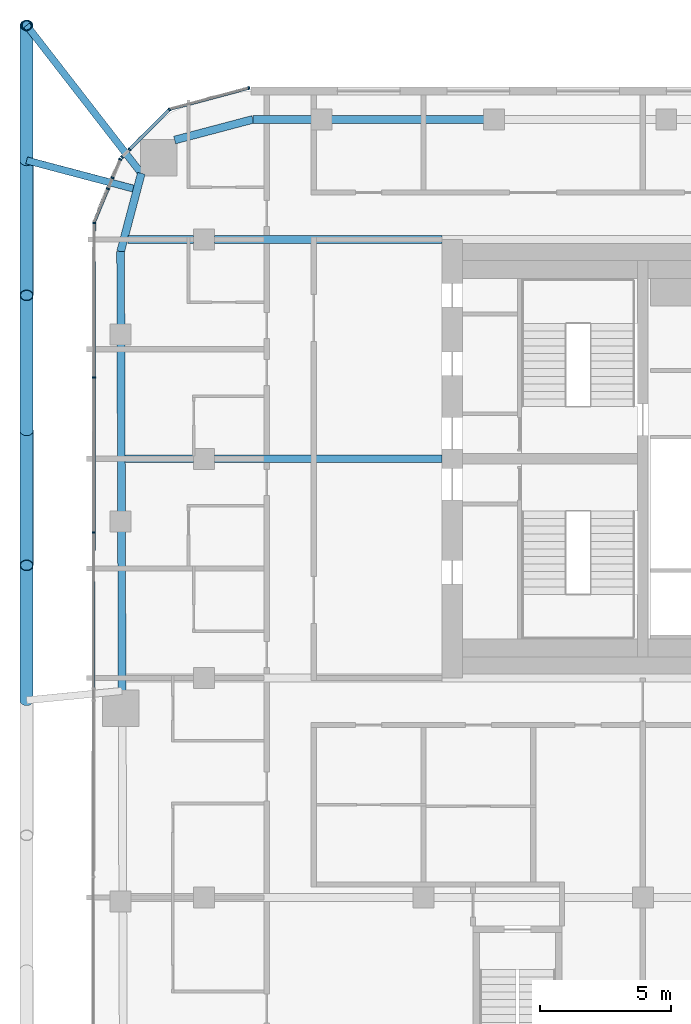
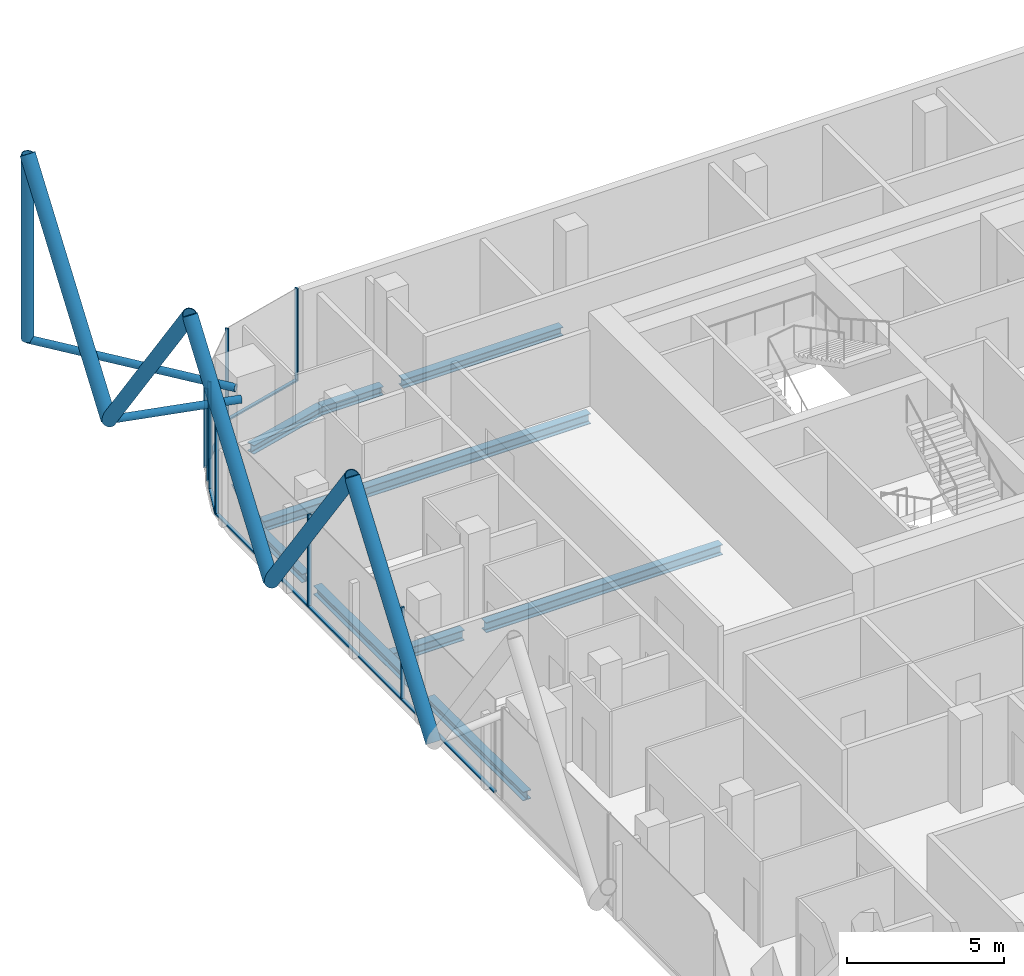
# One storey, part 8 of 31: 24 members, 11 beams, 7 elements without a shape of their own.
"""IFC4 building model written with IfcOpenShell, lengths in metres."""

from ifc_helpers import new_model, si_unit, direction, frame, origin, origin_2d, place, context, subcontext, project, spatial, rectangle, hollow_circle, i_section, extrude, material, layer, layer_set, material_profile, profile_set, type_object, element, aggregate, save


model = new_model("IFC4")

# Units and contexts
model_context = context("Model", 3, precision=1e-05, world=origin(), true_north=direction((0.0, 1.0)))
body_context = subcontext(model_context, "Body", "Model", "MODEL_VIEW")
ifc_project = project(units=[si_unit("LENGTHUNIT", "METRE"), si_unit("AREAUNIT", "SQUARE_METRE"), si_unit("VOLUMEUNIT", "CUBIC_METRE"), si_unit("PLANEANGLEUNIT", "RADIAN"), si_unit("MASSUNIT", "GRAM", prefix="KILO")], contexts=[model_context])

# Site, building, storey
site_placement = place(None, origin())
site = spatial("IfcSite", under=ifc_project, at=site_placement, CompositionType="ELEMENT")
building_placement = place(site_placement, origin())
building = spatial("IfcBuilding", under=site, at=building_placement, Name="Marenta Gate Hotel Tower", CompositionType="ELEMENT")
storey_placement = place(building_placement, frame((0.0, 0.0, 234.5)))
storey = spatial("IfcBuildingStorey", under=building, at=storey_placement, Name="L55", CompositionType="ELEMENT", Elevation=234.5)

# Members
ifc_material_1 = material(Name="Steel S355J2W", Category="steel")
ifc_material_profile_1 = material_profile(ifc_material_1, hollow_circle(Radius=0.203125, WallThickness=0.02490234375, at=origin_2d()), Name="CHS 406.4x25")
ifc_profile_set_1 = profile_set([ifc_material_profile_1], Name="Steel S355J2W")
member_type_1 = type_object("IfcMemberType", Name="Diagrid corner post Z3 CHS 406.4x25", PredefinedType="POST", material=ifc_profile_set_1)
member_1_placement = place(storey_placement, frame((-27.800048828125, 25.0, 3.139892578125), z_axis=(0.0, 0.0, 1.0), x_axis=(1.0, 0.0, 0.0)))
element("IfcMember", 1, at=member_1_placement, inside=storey, type_object=member_type_1, Name="L55-DR-6", PredefinedType="POST", context=body_context, shape_type="SweptSolid", body=[
    extrude(hollow_circle(Radius=0.203125, WallThickness=0.02490234375, at=origin_2d()), origin(), (0.0, 0.0, 1.0), 7.2001953125),
])
ifc_material_2 = material(Name="Steel S355J2W", Category="steel")
ifc_material_profile_2 = material_profile(ifc_material_2, hollow_circle(Radius=0.25390625, WallThickness=0.02490234375, at=origin_2d()), Name="CHS 508x25")
ifc_profile_set_2 = profile_set([ifc_material_profile_2], Name="Steel S355J2W")
member_type_2 = type_object("IfcMemberType", Name="Diagrid diagonal Z3 CHS 508x25", PredefinedType="BRACE", material=ifc_profile_set_2)
member_2_placement = place(storey_placement, frame((-27.800048828125, -0.85009765625, 3.139892578125), z_axis=(0.0, 0.583247791947, 0.812294289767), x_axis=(-1.0, 0.0, 0.0)))
element("IfcMember", 2, at=member_2_placement, inside=storey, type_object=member_type_2, Name="L55-DG-30", PredefinedType="BRACE", context=body_context, shape_type="SweptSolid", body=[
    extrude(hollow_circle(Radius=0.25390625, WallThickness=0.02490234375, at=origin_2d()), origin(), (0.0, 0.0, 1.0), 8.864013671875),
])
member_3_placement = place(storey_placement, frame((-27.800048828125, 9.489990234375, 3.139892578125), z_axis=(0.0, -0.583265964901, 0.81228124082), x_axis=(1.0, 0.0, 0.0)))
element("IfcMember", 3, at=member_3_placement, inside=storey, type_object=member_type_2, Name="L55-DG-31", PredefinedType="BRACE", context=body_context, shape_type="SweptSolid", body=[
    extrude(hollow_circle(Radius=0.25390625, WallThickness=0.02490234375, at=origin_2d()), origin(), (0.0, 0.0, 1.0), 8.8642578125),
])
member_4_placement = place(storey_placement, frame((-27.800048828125, 9.489990234375, 3.139892578125), z_axis=(0.0, 0.583247791947, 0.812294289767), x_axis=(-1.0, 0.0, 0.0)))
element("IfcMember", 4, at=member_4_placement, inside=storey, type_object=member_type_2, Name="L55-DG-32", PredefinedType="BRACE", context=body_context, shape_type="SweptSolid", body=[
    extrude(hollow_circle(Radius=0.25390625, WallThickness=0.02490234375, at=origin_2d()), origin(), (0.0, 0.0, 1.0), 8.864013671875),
])
member_5_placement = place(storey_placement, frame((-27.800048828125, 19.830078125, 3.139892578125), z_axis=(0.0, -0.583265964901, 0.81228124082), x_axis=(1.0, 0.0, 0.0)))
element("IfcMember", 5, at=member_5_placement, inside=storey, type_object=member_type_2, Name="L55-DG-33", PredefinedType="BRACE", context=body_context, shape_type="SweptSolid", body=[
    extrude(hollow_circle(Radius=0.25390625, WallThickness=0.02490234375, at=origin_2d()), origin(), (0.0, 0.0, 1.0), 8.8642578125),
])
member_6_placement = place(storey_placement, frame((-27.800048828125, 19.830078125, 3.139892578125), z_axis=(0.0, 0.583247791947, 0.812294289767), x_axis=(-1.0, 0.0, 0.0)))
element("IfcMember", 6, at=member_6_placement, inside=storey, type_object=member_type_2, Name="L55-DG-34", PredefinedType="BRACE", context=body_context, shape_type="SweptSolid", body=[
    extrude(hollow_circle(Radius=0.25390625, WallThickness=0.02490234375, at=origin_2d()), origin(), (0.0, 0.0, 1.0), 8.864013671875),
])

# Beams
ifc_material_3 = material(Name="Steel S355", Category="steel")
ifc_material_profile_3 = material_profile(ifc_material_3, i_section(OverallWidth=0.300048828125, OverallDepth=0.340087890625, WebThickness=0.011962890625, FlangeThickness=0.021484375, FilletRadius=0.027099609375, at=origin_2d()), Name="HEB 340")
ifc_profile_set_3 = profile_set([ifc_material_profile_3], Name="Steel S355")
beam_type_1 = type_object("IfcBeamType", Name="Edge beam HEB 340", PredefinedType="SPANDREL", material=ifc_profile_set_3)
beam_1_placement = place(storey_placement, frame((-24.14404296875, -0.489990234375, -0.429931640625), z_axis=(-0.003303859048, 0.999994542243, 0.0), x_axis=(-0.999994542243, -0.003303859048, 0.0)))
element("IfcBeam", 7, at=beam_1_placement, inside=storey, type_object=beam_type_1, Name="L55-EB-8", PredefinedType="SPANDREL", context=body_context, shape_type="SweptSolid", body=[
    extrude(i_section(OverallWidth=0.300048828125, OverallDepth=0.340087890625, WebThickness=0.011962890625, FlangeThickness=0.021484375, FilletRadius=0.027099609375, at=origin_2d()), origin(), (0.0, 0.0, 1.0), 6.13330078125),
])
beam_2_placement = place(storey_placement, frame((-24.166748046875, 6.36328125, -0.429931640625), z_axis=(-0.00333963982, 0.999994423387, 0.0), x_axis=(-0.999994423387, -0.00333963982, 0.0)))
element("IfcBeam", 8, at=beam_2_placement, inside=storey, type_object=beam_type_1, Name="L55-EB-9", PredefinedType="SPANDREL", context=body_context, shape_type="SweptSolid", body=[
    extrude(i_section(OverallWidth=0.300048828125, OverallDepth=0.340087890625, WebThickness=0.011962890625, FlangeThickness=0.021484375, FilletRadius=0.027099609375, at=origin_2d()), origin(), (0.0, 0.0, 1.0), 6.43310546875),
])
beam_3_placement = place(storey_placement, frame((-24.190673828125, 13.516357421875, -0.429931640625), z_axis=(-0.003292020626, 0.999994581285, 0.0), x_axis=(-0.999994581285, -0.003292020626, 0.0)))
element("IfcBeam", 9, at=beam_3_placement, inside=storey, type_object=beam_type_1, Name="L55-EB-10", PredefinedType="SPANDREL", context=body_context, shape_type="SweptSolid", body=[
    extrude(i_section(OverallWidth=0.300048828125, OverallDepth=0.340087890625, WebThickness=0.011962890625, FlangeThickness=0.021484375, FilletRadius=0.027099609375, at=origin_2d()), origin(), (0.0, 0.0, 1.0), 2.818115234375),
])
beam_4_placement = place(storey_placement, frame((-24.199951171875, 16.33447265625, -0.429931640625), z_axis=(0.255648013319, 0.966769927794, 0.0), x_axis=(-0.966769927794, 0.255648013319, 0.0)))
element("IfcBeam", 10, at=beam_4_placement, inside=storey, type_object=beam_type_1, Name="L55-EB-11", PredefinedType="SPANDREL", context=body_context, shape_type="SweptSolid", body=[
    extrude(i_section(OverallWidth=0.300048828125, OverallDepth=0.340087890625, WebThickness=0.011962890625, FlangeThickness=0.021484375, FilletRadius=0.027099609375, at=origin_2d()), origin(), (0.0, 0.0, 1.0), 3.100830078125),
])
beam_5_placement = place(storey_placement, frame((-22.132080078125, 20.607177734375, -0.429931640625), z_axis=(0.9667647815, 0.25566747398, 0.0), x_axis=(-0.25566747398, 0.9667647815, 0.0)))
element("IfcBeam", 11, at=beam_5_placement, inside=storey, type_object=beam_type_1, Name="L55-EB-12", PredefinedType="SPANDREL", context=body_context, shape_type="SweptSolid", body=[
    extrude(i_section(OverallWidth=0.300048828125, OverallDepth=0.340087890625, WebThickness=0.011962890625, FlangeThickness=0.021484375, FilletRadius=0.027099609375, at=origin_2d()), origin(), (0.0, 0.0, 1.0), 3.1005859375),
])
beam_6_placement = place(storey_placement, frame((-19.134521484375, 21.39990234375, -0.429931640625), z_axis=(1.0, 0.0, 0.0), x_axis=(0.0, 1.0, 0.0)))
element("IfcBeam", 12, at=beam_6_placement, inside=storey, type_object=beam_type_1, Name="L55-EB-13", PredefinedType="SPANDREL", context=body_context, shape_type="SweptSolid", body=[
    extrude(i_section(OverallWidth=0.300048828125, OverallDepth=0.340087890625, WebThickness=0.011962890625, FlangeThickness=0.021484375, FilletRadius=0.027099609375, at=origin_2d()), origin(), (0.0, 0.0, 1.0), 2.267578125),
])
beam_7_placement = place(storey_placement, frame((-16.14697265625, 21.39990234375, -0.429931640625), z_axis=(1.0, 0.0, 0.0), x_axis=(0.0, 1.0, 0.0)))
element("IfcBeam", 13, at=beam_7_placement, inside=storey, type_object=beam_type_1, Name="L55-EB-14", PredefinedType="SPANDREL", context=body_context, shape_type="SweptSolid", body=[
    extrude(i_section(OverallWidth=0.300048828125, OverallDepth=0.340087890625, WebThickness=0.011962890625, FlangeThickness=0.021484375, FilletRadius=0.027099609375, at=origin_2d()), origin(), (0.0, 0.0, 1.0), 5.8828125),
])

# Members
ifc_material_4 = material(Name="Steel S355J2W", Category="steel")
ifc_material_profile_4 = material_profile(ifc_material_4, hollow_circle(Radius=0.136474609375, WallThickness=0.012451171875, at=origin_2d()), Name="CHS 273x12.5")
ifc_profile_set_4 = profile_set([ifc_material_profile_4], Name="Steel S355J2W")
member_type_3 = type_object("IfcMemberType", Name="Floor tie CHS 273x12.5", PredefinedType="STRUT", material=ifc_profile_set_4)
member_7_placement = place(storey_placement, frame((-27.800048828125, 19.830078125, 3.139892578125), z_axis=(0.966769042409, -0.255651361506, 0.0), x_axis=(0.255651361506, 0.966769042409, 0.0)))
element("IfcMember", 14, at=member_7_placement, inside=storey, type_object=member_type_3, Name="L55-DR-21", PredefinedType="STRUT", context=body_context, shape_type="SweptSolid", body=[
    extrude(hollow_circle(Radius=0.136474609375, WallThickness=0.012451171875, at=origin_2d()), origin(), (0.0, 0.0, 1.0), 4.3681640625),
])
member_8_placement = place(storey_placement, frame((-27.800048828125, 25.0, 3.139892578125), z_axis=(0.61259242592, -0.790398962363, 0.0), x_axis=(0.790398962363, 0.61259242592, 0.0)))
element("IfcMember", 15, at=member_8_placement, inside=storey, type_object=member_type_3, Name="L55-DR-22", PredefinedType="STRUT", context=body_context, shape_type="SweptSolid", body=[
    extrude(hollow_circle(Radius=0.136474609375, WallThickness=0.012451171875, at=origin_2d()), origin(), (0.0, 0.0, 1.0), 7.163330078125),
])

# Beams
ifc_material_5 = material(Name="Steel S355", Category="steel")
ifc_material_profile_5 = material_profile(ifc_material_5, i_section(OverallWidth=0.300048828125, OverallDepth=0.39990234375, WebThickness=0.013427734375, FlangeThickness=0.02392578125, FilletRadius=0.027099609375, at=origin_2d()), Name="HEB 400")
ifc_profile_set_5 = profile_set([ifc_material_profile_5], Name="Steel S355")
beam_type_2 = type_object("IfcBeamType", Name="Girder HEB 400", PredefinedType="BEAM", material=ifc_profile_set_5)
beam_8_placement = place(storey_placement, frame((-24.023681640625, 8.39990234375, -0.4599609375), z_axis=(1.0, 0.0, 0.0), x_axis=(0.0, 1.0, 0.0)))
element("IfcBeam", 16, at=beam_8_placement, inside=storey, type_object=beam_type_2, Name="L55-GD-25", PredefinedType="BEAM", context=body_context, shape_type="SweptSolid", body=[
    extrude(i_section(OverallWidth=0.300048828125, OverallDepth=0.39990234375, WebThickness=0.013427734375, FlangeThickness=0.02392578125, FilletRadius=0.027099609375, at=origin_2d()), origin(), (0.0, 0.0, 1.0), 2.623779296875),
])
beam_9_placement = place(storey_placement, frame((-20.60009765625, 8.39990234375, -0.4599609375), z_axis=(1.0, 0.0, 0.0), x_axis=(0.0, 1.0, 0.0)))
element("IfcBeam", 17, at=beam_9_placement, inside=storey, type_object=beam_type_2, Name="L55-GD-26", PredefinedType="BEAM", context=body_context, shape_type="SweptSolid", body=[
    extrude(i_section(OverallWidth=0.300048828125, OverallDepth=0.39990234375, WebThickness=0.013427734375, FlangeThickness=0.02392578125, FilletRadius=0.027099609375, at=origin_2d()), origin(), (0.0, 0.0, 1.0), 8.7001953125),
])
beam_10_placement = place(storey_placement, frame((-23.921630859375, 16.800048828125, -0.4599609375), z_axis=(1.0, 0.0, 0.0), x_axis=(0.0, 1.0, 0.0)))
element("IfcBeam", 18, at=beam_10_placement, inside=storey, type_object=beam_type_2, Name="L55-GD-29", PredefinedType="BEAM", context=body_context, shape_type="SweptSolid", body=[
    extrude(i_section(OverallWidth=0.300048828125, OverallDepth=0.39990234375, WebThickness=0.013427734375, FlangeThickness=0.02392578125, FilletRadius=0.027099609375, at=origin_2d()), origin(), (0.0, 0.0, 1.0), 2.521728515625),
])
beam_11_placement = place(storey_placement, frame((-20.60009765625, 16.800048828125, -0.4599609375), z_axis=(1.0, 0.0, 0.0), x_axis=(0.0, 1.0, 0.0)))
element("IfcBeam", 19, at=beam_11_placement, inside=storey, type_object=beam_type_2, Name="L55-GD-30", PredefinedType="BEAM", context=body_context, shape_type="SweptSolid", body=[
    extrude(i_section(OverallWidth=0.300048828125, OverallDepth=0.39990234375, WebThickness=0.013427734375, FlangeThickness=0.02392578125, FilletRadius=0.027099609375, at=origin_2d()), origin(), (0.0, 0.0, 1.0), 8.7001953125),
])

# Curtain wall, member
ifc_material_6 = material(Name="Tinted insulated glass in bronze anodised frame", Category="glass")
ifc_layer = layer(ifc_material_6, 0.1201171875)
ifc_layer_set = layer_set([ifc_layer], Name="Tinted insulated glass in bronze anodised frame")
curtain_wall_type = type_object("IfcCurtainWallType", Name="Tower unitised curtain wall CW1", PredefinedType="NOTDEFINED", material=ifc_layer_set)
curtain_wall_1_placement = place(storey_placement, origin())
curtain_wall_1 = element("IfcCurtainWall", 20, at=curtain_wall_1_placement, inside=storey, type_object=curtain_wall_type, Name="CW1 run G00", PredefinedType="NOTDEFINED")
ifc_material_7 = material(Name="Bronze anodised aluminium", Category="aluminium")
ifc_material_profile_6 = material_profile(ifc_material_7, rectangle(XDim=0.1201171875, YDim=0.06005859375, at=origin_2d()), Name="Mullion CW1 60x120 bronze anodised aluminium")
ifc_profile_set_6 = profile_set([ifc_material_profile_6], Name="Bronze anodised aluminium")
member_type_4 = type_object("IfcMemberType", Name="Mullion CW1 60x120 bronze anodised aluminium", PredefinedType="MULLION", material=ifc_profile_set_6)
member_9_placement = place(storey_placement, frame((-19.285400390625, 22.603271484375, 0.0), z_axis=(0.0, 0.0, 1.0), x_axis=(0.258801379183, -0.965930559685, 0.0)))
member_9 = element("IfcMember", 21, at=member_9_placement, type_object=member_type_4, Name="CW1 mullion 1", PredefinedType="MULLION", context=body_context, shape_type="SweptSolid", body=[
    extrude(rectangle(XDim=0.1201171875, YDim=0.06005859375, at=origin_2d()), origin(), (0.0, 0.0, 1.0), 3.60009765625),
])

curtain_wall_2_placement = place(storey_placement, origin())
curtain_wall_2 = element("IfcCurtainWall", 22, at=curtain_wall_2_placement, inside=storey, type_object=curtain_wall_type, Name="CW1 run G01", PredefinedType="NOTDEFINED")
member_10_placement = place(storey_placement, frame((-22.334228515625, 21.77099609375, 0.0), z_axis=(0.0, 0.0, 1.0), x_axis=(0.707106781187, -0.707106781187, 0.0)))
member_10 = element("IfcMember", 23, at=member_10_placement, type_object=member_type_4, Name="CW1 mullion 1", PredefinedType="MULLION", context=body_context, shape_type="SweptSolid", body=[
    extrude(rectangle(XDim=0.1201171875, YDim=0.06005859375, at=origin_2d()), origin(), (0.0, 0.0, 1.0), 3.60009765625),
])

# Curtain wall, members
curtain_wall_3_placement = place(storey_placement, origin())
curtain_wall_3 = element("IfcCurtainWall", 24, at=curtain_wall_3_placement, inside=storey, type_object=curtain_wall_type, Name="CW1 run G02", PredefinedType="NOTDEFINED")
member_11_placement = place(storey_placement, frame((-23.86328125, 20.24169921875, 0.0), z_axis=(0.0, 0.0, 1.0), x_axis=(0.707106781187, -0.707106781187, 0.0)))
member_11 = element("IfcMember", 25, at=member_11_placement, type_object=member_type_4, Name="CW1 mullion 1", PredefinedType="MULLION", context=body_context, shape_type="SweptSolid", body=[
    extrude(rectangle(XDim=0.1201171875, YDim=0.06005859375, at=origin_2d()), origin(), (0.0, 0.0, 1.0), 3.00048828125),
])
member_12_placement = place(storey_placement, frame((-24.143798828125, 19.961181640625, 0.0), z_axis=(0.0, 0.0, 1.0), x_axis=(0.707106781187, -0.707106781187, 0.0)))
member_12 = element("IfcMember", 26, at=member_12_placement, type_object=member_type_4, Name="CW1 mullion 2", PredefinedType="MULLION", context=body_context, shape_type="SweptSolid", body=[
    extrude(rectangle(XDim=0.1201171875, YDim=0.06005859375, at=origin_2d()), origin(), (0.0, 0.0, 1.0), 3.00048828125),
])
aggregate(curtain_wall_3, [member_11, member_12])

# Curtain wall, member
curtain_wall_4_placement = place(storey_placement, origin())
curtain_wall_4 = element("IfcCurtainWall", 27, at=curtain_wall_4_placement, inside=storey, type_object=curtain_wall_type, Name="CW1 run G03", PredefinedType="NOTDEFINED")
member_13_placement = place(storey_placement, frame((-24.215087890625, 19.87353515625, 0.0), z_axis=(0.0, 0.0, 1.0), x_axis=(0.923867791185, -0.382711777204, 0.0)))
member_13 = element("IfcMember", 28, at=member_13_placement, type_object=member_type_4, Name="CW1 mullion 1", PredefinedType="MULLION", context=body_context, shape_type="SweptSolid", body=[
    extrude(rectangle(XDim=0.1201171875, YDim=0.06005859375, at=origin_2d()), origin(), (0.0, 0.0, 1.0), 3.60009765625),
])
aggregate(curtain_wall_4, [member_13])

curtain_wall_5_placement = place(storey_placement, origin())
curtain_wall_5 = element("IfcCurtainWall", 29, at=curtain_wall_5_placement, inside=storey, type_object=curtain_wall_type, Name="CW1 run G04", PredefinedType="NOTDEFINED")
member_14_placement = place(storey_placement, frame((-24.50927734375, 19.163330078125, 0.0), z_axis=(0.0, 0.0, 1.0), x_axis=(0.923896848097, -0.382641626167, 0.0)))
member_14 = element("IfcMember", 30, at=member_14_placement, type_object=member_type_4, Name="CW1 mullion 1", PredefinedType="MULLION", context=body_context, shape_type="SweptSolid", body=[
    extrude(rectangle(XDim=0.1201171875, YDim=0.06005859375, at=origin_2d()), origin(), (0.0, 0.0, 1.0), 3.00048828125),
])
aggregate(curtain_wall_5, [member_14])

curtain_wall_6_placement = place(storey_placement, origin())
curtain_wall_6 = element("IfcCurtainWall", 31, at=curtain_wall_6_placement, inside=storey, type_object=curtain_wall_type, Name="CW1 run G05", PredefinedType="NOTDEFINED")
member_15_placement = place(storey_placement, frame((-24.684326171875, 18.740966796875, 0.0), z_axis=(0.0, 0.0, 1.0), x_axis=(0.923893220226, -0.382650385627, 0.0)))
member_15 = element("IfcMember", 32, at=member_15_placement, type_object=member_type_4, Name="CW1 mullion 1", PredefinedType="MULLION", context=body_context, shape_type="SweptSolid", body=[
    extrude(rectangle(XDim=0.1201171875, YDim=0.06005859375, at=origin_2d()), origin(), (0.0, 0.0, 1.0), 3.60009765625),
])

# Curtain wall, members
curtain_wall_7_placement = place(storey_placement, origin())
curtain_wall_7 = element("IfcCurtainWall", 33, at=curtain_wall_7_placement, inside=storey, type_object=curtain_wall_type, Name="CW1 run G06", PredefinedType="NOTDEFINED")
member_16_placement = place(storey_placement, frame((-25.21240234375, 17.436279296875, 0.0), z_axis=(0.0, 0.0, 1.0), x_axis=(0.999998767857, -0.001569803969, 0.0)))
member_16 = element("IfcMember", 34, at=member_16_placement, type_object=member_type_4, Name="CW1 mullion 1", PredefinedType="MULLION", context=body_context, shape_type="SweptSolid", body=[
    extrude(rectangle(XDim=0.1201171875, YDim=0.06005859375, at=origin_2d()), origin(), (0.0, 0.0, 1.0), 3.60009765625),
])
member_17_placement = place(storey_placement, frame((-25.2216796875, 11.520751953125, 0.0), z_axis=(0.0, 0.0, 1.0), x_axis=(0.999998767857, -0.001569803969, 0.0)))
member_17 = element("IfcMember", 35, at=member_17_placement, type_object=member_type_4, Name="CW1 mullion 2", PredefinedType="MULLION", context=body_context, shape_type="SweptSolid", body=[
    extrude(rectangle(XDim=0.1201171875, YDim=0.06005859375, at=origin_2d()), origin(), (0.0, 0.0, 1.0), 3.60009765625),
])
member_18_placement = place(storey_placement, frame((-25.23095703125, 5.5751953125, 0.0), z_axis=(0.0, 0.0, 1.0), x_axis=(0.999998767857, -0.001569803969, 0.0)))
member_18 = element("IfcMember", 36, at=member_18_placement, type_object=member_type_4, Name="CW1 mullion 3", PredefinedType="MULLION", context=body_context, shape_type="SweptSolid", body=[
    extrude(rectangle(XDim=0.1201171875, YDim=0.06005859375, at=origin_2d()), origin(), (0.0, 0.0, 1.0), 3.60009765625),
])

# Member
ifc_material_8 = material(Name="Bronze anodised aluminium", Category="aluminium")
ifc_material_profile_7 = material_profile(ifc_material_8, rectangle(XDim=0.1201171875, YDim=0.06005859375, at=origin_2d()), Name="Transom CW1 60x120 bronze anodised aluminium")
ifc_profile_set_7 = profile_set([ifc_material_profile_7], Name="Bronze anodised aluminium")
member_type_5 = type_object("IfcMemberType", Name="Transom CW1 60x120 bronze anodised aluminium", PredefinedType="USERDEFINED", material=ifc_profile_set_7)
member_19_placement = place(storey_placement, frame((-19.314453125, 22.595458984375, 0.030029296875), z_axis=(-0.965924882171, -0.258822568574, 0.0), x_axis=(0.258822568574, -0.965924882171, 0.0)))
member_19 = element("IfcMember", 37, at=member_19_placement, type_object=member_type_5, Name="CW1 transom 1.1", ObjectType="TRANSOM", PredefinedType="USERDEFINED", context=body_context, shape_type="SweptSolid", body=[
    extrude(rectangle(XDim=0.1201171875, YDim=0.06005859375, at=origin_2d()), origin(), (0.0, 0.0, 1.0), 3.104248046875),
])

aggregate(curtain_wall_1, [member_9, member_19])

member_20_placement = place(storey_placement, frame((-22.355224609375, 21.749755859375, 0.030029296875), z_axis=(-0.707106781187, -0.707106781187, 0.0), x_axis=(0.707106781187, -0.707106781187, 0.0)))
member_20 = element("IfcMember", 38, at=member_20_placement, type_object=member_type_5, Name="CW1 transom 1.1", ObjectType="TRANSOM", PredefinedType="USERDEFINED", context=body_context, shape_type="SweptSolid", body=[
    extrude(rectangle(XDim=0.1201171875, YDim=0.06005859375, at=origin_2d()), origin(), (0.0, 0.0, 1.0), 2.102783203125),
])

aggregate(curtain_wall_2, [member_10, member_20])

member_21_placement = place(storey_placement, frame((-24.69580078125, 18.71337890625, 0.030029296875), z_axis=(-0.382713863941, -0.923866926753, 0.0), x_axis=(0.923866926753, -0.382713863941, 0.0)))
member_21 = element("IfcMember", 39, at=member_21_placement, type_object=member_type_5, Name="CW1 transom 1.1", ObjectType="TRANSOM", PredefinedType="USERDEFINED", context=body_context, shape_type="SweptSolid", body=[
    extrude(rectangle(XDim=0.1201171875, YDim=0.06005859375, at=origin_2d()), origin(), (0.0, 0.0, 1.0), 1.349853515625),
])

aggregate(curtain_wall_6, [member_15, member_21])

member_22_placement = place(storey_placement, frame((-25.21240234375, 17.40625, 0.030029296875), z_axis=(-0.001584387604, -0.999998744857, 0.0), x_axis=(0.999998744857, -0.001584387604, 0.0)))
member_22 = element("IfcMember", 40, at=member_22_placement, type_object=member_type_5, Name="CW1 transom 1.1", ObjectType="TRANSOM", PredefinedType="USERDEFINED", context=body_context, shape_type="SweptSolid", body=[
    extrude(rectangle(XDim=0.1201171875, YDim=0.06005859375, at=origin_2d()), origin(), (0.0, 0.0, 1.0), 5.85546875),
])

member_23_placement = place(storey_placement, frame((-25.2216796875, 11.49072265625, 0.030029296875), z_axis=(-0.001576303679, -0.999998757633, 0.0), x_axis=(0.999998757633, -0.001576303679, 0.0)))
member_23 = element("IfcMember", 41, at=member_23_placement, type_object=member_type_5, Name="CW1 transom 2.1", ObjectType="TRANSOM", PredefinedType="USERDEFINED", context=body_context, shape_type="SweptSolid", body=[
    extrude(rectangle(XDim=0.1201171875, YDim=0.06005859375, at=origin_2d()), origin(), (0.0, 0.0, 1.0), 5.885498046875),
])

member_24_placement = place(storey_placement, frame((-25.23095703125, 5.545166015625, 0.030029296875), z_axis=(-0.001568301827, -0.999998770214, 0.0), x_axis=(0.999998770214, -0.001568301827, 0.0)))
member_24 = element("IfcMember", 42, at=member_24_placement, type_object=member_type_5, Name="CW1 transom 3.1", ObjectType="TRANSOM", PredefinedType="USERDEFINED", context=body_context, shape_type="SweptSolid", body=[
    extrude(rectangle(XDim=0.1201171875, YDim=0.06005859375, at=origin_2d()), origin(), (0.0, 0.0, 1.0), 5.91552734375),
])

aggregate(curtain_wall_7, [member_16, member_17, member_18, member_22, member_23, member_24])

save(model, "model.ifc")
